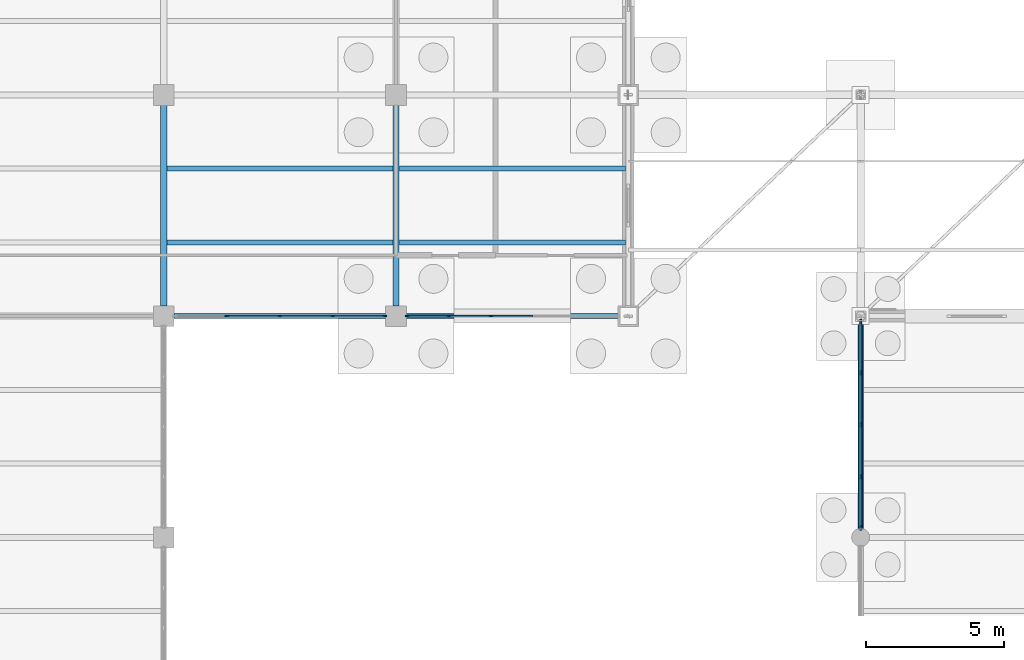
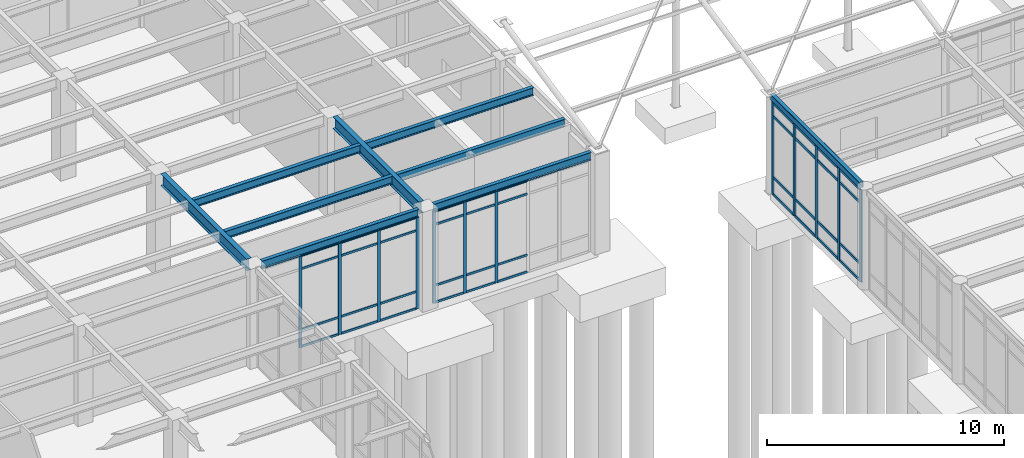
# One storey, part 40 of 138: 52 members, 9 beams, 3 elements without a shape of their own.
"""IFC4 building model written with IfcOpenShell, lengths in metres."""

from ifc_helpers import new_model, si_unit, direction, frame, origin, origin_2d, place, context, subcontext, project, spatial, rectangle, hollow_rectangle, i_section, extrude, material, layer, layer_set, material_profile, profile_set, type_object, element, aggregate, save


model = new_model("IFC4")

# Units and contexts
model_context = context("Model", 3, precision=1e-05, world=origin(), true_north=direction((0.0, 1.0)))
body_context = subcontext(model_context, "Body", "Model", "MODEL_VIEW")
ifc_project = project(units=[si_unit("LENGTHUNIT", "METRE"), si_unit("AREAUNIT", "SQUARE_METRE"), si_unit("VOLUMEUNIT", "CUBIC_METRE"), si_unit("PLANEANGLEUNIT", "RADIAN"), si_unit("MASSUNIT", "GRAM", prefix="KILO")], contexts=[model_context])

# Site, building, storey
site_placement = place(None, origin())
site = spatial("IfcSite", under=ifc_project, at=site_placement, CompositionType="ELEMENT")
building_placement = place(site_placement, origin())
building = spatial("IfcBuilding", under=site, at=building_placement, Name="Kranzveld Transit Interchange", CompositionType="ELEMENT")
storey_placement = place(building_placement, origin())
storey = spatial("IfcBuildingStorey", under=building, at=storey_placement, Name="L00", CompositionType="ELEMENT", Elevation=0.0)

# Curtain wall, members
ifc_material_1 = material(Name="Bronze-anodised thermally broken aluminium", Category="aluminium")
ifc_layer_1 = layer(ifc_material_1, 0.159912109375)
ifc_layer_set_1 = layer_set([ifc_layer_1], Name="Bronze-anodised thermally broken aluminium")
curtain_wall_type_1 = type_object("IfcCurtainWallType", Name="Bus Boarding Glazed Screen CW-3", PredefinedType="USERDEFINED", material=ifc_layer_set_1)
curtain_wall_1_placement = place(storey_placement, origin())
curtain_wall_1 = element("IfcCurtainWall", 1, at=curtain_wall_1_placement, inside=storey, type_object=curtain_wall_type_1, Name="L00 Curtain Wall 05/M-06/M", ObjectType="CURTAIN WALL", PredefinedType="USERDEFINED")
ifc_material_2 = material(Name="Bronze-anodised thermally broken aluminium", Category="aluminium")
ifc_material_profile_1 = material_profile(ifc_material_2, rectangle(XDim=0.06005859375, YDim=0.14990234375, at=origin_2d()), Name="ALU MULLION 60x150")
ifc_profile_set_1 = profile_set([ifc_material_profile_1], Name="Bronze-anodised thermally broken aluminium")
member_type_1 = type_object("IfcMemberType", Name="Curtain Wall Mullion 60x150 Alu", PredefinedType="MULLION", material=ifc_profile_set_1)
member_1_placement = place(storey_placement, frame((35.887451171875, 88.0, 0.0), z_axis=(0.0, 0.0, 1.0), x_axis=(0.0, 1.0, 0.0)))
member_1 = element("IfcMember", 2, at=member_1_placement, type_object=member_type_1, Name="CW-3 mullion 2", PredefinedType="MULLION", context=body_context, shape_type="SweptSolid", body=[
    extrude(rectangle(XDim=0.06005859375, YDim=0.14990234375, at=origin_2d()), origin(), (0.0, 0.0, 1.0), 4.740478515625),
])
member_2_placement = place(storey_placement, frame((37.800048828125, 88.0, 0.0), z_axis=(0.0, 0.0, 1.0), x_axis=(0.0, 1.0, 0.0)))
member_2 = element("IfcMember", 3, at=member_2_placement, type_object=member_type_1, Name="CW-3 mullion 3", PredefinedType="MULLION", context=body_context, shape_type="SweptSolid", body=[
    extrude(rectangle(XDim=0.06005859375, YDim=0.14990234375, at=origin_2d()), origin(), (0.0, 0.0, 1.0), 4.740478515625),
])
member_3_placement = place(storey_placement, frame((39.71240234375, 88.0, 0.0), z_axis=(0.0, 0.0, 1.0), x_axis=(0.0, 1.0, 0.0)))
member_3 = element("IfcMember", 4, at=member_3_placement, type_object=member_type_1, Name="CW-3 mullion 4", PredefinedType="MULLION", context=body_context, shape_type="SweptSolid", body=[
    extrude(rectangle(XDim=0.06005859375, YDim=0.14990234375, at=origin_2d()), origin(), (0.0, 0.0, 1.0), 4.740478515625),
])
member_4_placement = place(storey_placement, frame((41.594970703125, 88.0, 0.0), z_axis=(0.0, 0.0, 1.0), x_axis=(0.0, 1.0, 0.0)))
member_4 = element("IfcMember", 5, at=member_4_placement, type_object=member_type_1, Name="CW-3 mullion 5", PredefinedType="MULLION", context=body_context, shape_type="SweptSolid", body=[
    extrude(rectangle(XDim=0.06005859375, YDim=0.14990234375, at=origin_2d()), origin(), (0.0, 0.0, 1.0), 4.740478515625),
])

ifc_material_3 = material(Name="Bronze-anodised thermally broken aluminium", Category="aluminium")
ifc_layer_2 = layer(ifc_material_3, 0.14990234375)
ifc_layer_set_2 = layer_set([ifc_layer_2], Name="Bronze-anodised thermally broken aluminium")
curtain_wall_type_2 = type_object("IfcCurtainWallType", Name="Public Passage Clerestory Screen CW-4", PredefinedType="USERDEFINED", material=ifc_layer_set_2)
curtain_wall_2_placement = place(storey_placement, origin())
curtain_wall_2 = element("IfcCurtainWall", 6, at=curtain_wall_2_placement, inside=storey, type_object=curtain_wall_type_2, Name="L00 Curtain Wall 06/M-07/M", ObjectType="CURTAIN WALL", PredefinedType="USERDEFINED")
member_5_placement = place(storey_placement, frame((42.405029296875, 88.0, 0.0), z_axis=(0.0, 0.0, 1.0), x_axis=(0.0, 1.0, 0.0)))
member_5 = element("IfcMember", 7, at=member_5_placement, type_object=member_type_1, Name="CW-4 mullion 1", PredefinedType="MULLION", context=body_context, shape_type="SweptSolid", body=[
    extrude(rectangle(XDim=0.06005859375, YDim=0.14990234375, at=origin_2d()), origin(), (0.0, 0.0, 1.0), 4.740478515625),
])
member_6_placement = place(storey_placement, frame((43.905029296875, 88.0, 0.0), z_axis=(0.0, 0.0, 1.0), x_axis=(0.0, 1.0, 0.0)))
member_6 = element("IfcMember", 8, at=member_6_placement, type_object=member_type_1, Name="CW-4 mullion 2", PredefinedType="MULLION", context=body_context, shape_type="SweptSolid", body=[
    extrude(rectangle(XDim=0.06005859375, YDim=0.14990234375, at=origin_2d()), origin(), (0.0, 0.0, 1.0), 4.740478515625),
])
member_7_placement = place(storey_placement, frame((45.43505859375, 88.0, 0.0), z_axis=(0.0, 0.0, 1.0), x_axis=(0.0, 1.0, 0.0)))
member_7 = element("IfcMember", 9, at=member_7_placement, type_object=member_type_1, Name="CW-4 mullion 3", PredefinedType="MULLION", context=body_context, shape_type="SweptSolid", body=[
    extrude(rectangle(XDim=0.06005859375, YDim=0.14990234375, at=origin_2d()), origin(), (0.0, 0.0, 1.0), 4.740478515625),
])

ifc_material_4 = material(Name="Bronze-anodised thermally broken aluminium", Category="aluminium")
ifc_layer_3 = layer(ifc_material_4, 0.18505859375)
ifc_layer_set_3 = layer_set([ifc_layer_3], Name="Bronze-anodised thermally broken aluminium")
curtain_wall_type_3 = type_object("IfcCurtainWallType", Name="Control Crown Observation Facade CW-5", PredefinedType="USERDEFINED", material=ifc_layer_set_3)
curtain_wall_3_placement = place(storey_placement, origin())
curtain_wall_3 = element("IfcCurtainWall", 10, at=curtain_wall_3_placement, inside=storey, type_object=curtain_wall_type_3, Name="L00 Curtain Wall 08/L-08/M", ObjectType="CURTAIN WALL", PredefinedType="USERDEFINED")
ifc_material_5 = material(Name="Bronze-anodised thermally broken aluminium", Category="aluminium")
ifc_material_profile_2 = material_profile(ifc_material_5, rectangle(XDim=0.06494140625, YDim=0.179931640625, at=origin_2d()), Name="ALU MULLION 65x180")
ifc_profile_set_2 = profile_set([ifc_material_profile_2], Name="Bronze-anodised thermally broken aluminium")
member_type_2 = type_object("IfcMemberType", Name="Curtain Wall Mullion 65x180 Alu", PredefinedType="MULLION", material=ifc_profile_set_2)
member_8_placement = place(storey_placement, frame((58.800048828125, 80.357421875, 0.0), z_axis=(0.0, 0.0, 1.0), x_axis=(-1.0, 0.0, 0.0)))
member_8 = element("IfcMember", 11, at=member_8_placement, type_object=member_type_2, Name="CW-5 mullion 1", PredefinedType="MULLION", context=body_context, shape_type="SweptSolid", body=[
    extrude(rectangle(XDim=0.06494140625, YDim=0.179931640625, at=origin_2d()), origin(), (0.0, 0.0, 1.0), 4.747314453125),
])
member_9_placement = place(storey_placement, frame((58.800048828125, 82.19921875, 0.0), z_axis=(0.0, 0.0, 1.0), x_axis=(-1.0, 0.0, 0.0)))
member_9 = element("IfcMember", 12, at=member_9_placement, type_object=member_type_2, Name="CW-5 mullion 2", PredefinedType="MULLION", context=body_context, shape_type="SweptSolid", body=[
    extrude(rectangle(XDim=0.06494140625, YDim=0.179931640625, at=origin_2d()), origin(), (0.0, 0.0, 1.0), 4.747314453125),
])
member_10_placement = place(storey_placement, frame((58.800048828125, 84.073486328125, 0.0), z_axis=(0.0, 0.0, 1.0), x_axis=(-1.0, 0.0, 0.0)))
member_10 = element("IfcMember", 13, at=member_10_placement, type_object=member_type_2, Name="CW-5 mullion 3", PredefinedType="MULLION", context=body_context, shape_type="SweptSolid", body=[
    extrude(rectangle(XDim=0.06494140625, YDim=0.179931640625, at=origin_2d()), origin(), (0.0, 0.0, 1.0), 4.747314453125),
])
member_11_placement = place(storey_placement, frame((58.800048828125, 85.947998046875, 0.0), z_axis=(0.0, 0.0, 1.0), x_axis=(-1.0, 0.0, 0.0)))
member_11 = element("IfcMember", 14, at=member_11_placement, type_object=member_type_2, Name="CW-5 mullion 4", PredefinedType="MULLION", context=body_context, shape_type="SweptSolid", body=[
    extrude(rectangle(XDim=0.06494140625, YDim=0.179931640625, at=origin_2d()), origin(), (0.0, 0.0, 1.0), 4.747314453125),
])
member_12_placement = place(storey_placement, frame((58.800048828125, 87.789794921875, 0.0), z_axis=(0.0, 0.0, 1.0), x_axis=(-1.0, 0.0, 0.0)))
member_12 = element("IfcMember", 15, at=member_12_placement, type_object=member_type_2, Name="CW-5 mullion 5", PredefinedType="MULLION", context=body_context, shape_type="SweptSolid", body=[
    extrude(rectangle(XDim=0.06494140625, YDim=0.179931640625, at=origin_2d()), origin(), (0.0, 0.0, 1.0), 4.747314453125),
])

# Member
ifc_material_6 = material(Name="Bronze-anodised thermally broken aluminium", Category="aluminium")
ifc_material_profile_3 = material_profile(ifc_material_6, rectangle(XDim=0.06005859375, YDim=0.110107421875, at=origin_2d()), Name="ALU TRANSOM 60x110")
ifc_profile_set_3 = profile_set([ifc_material_profile_3], Name="Bronze-anodised thermally broken aluminium")
member_type_3 = type_object("IfcMemberType", Name="Curtain Wall Transom 60x110 Alu", PredefinedType="USERDEFINED", material=ifc_profile_set_3)
member_13_placement = place(storey_placement, frame((35.91748046875, 88.0, 0.030029296875), z_axis=(1.0, 0.0, 0.0), x_axis=(0.0, 1.0, 0.0)))
member_13 = element("IfcMember", 16, at=member_13_placement, type_object=member_type_3, Name="CW-3 transom 2.1", ObjectType="TRANSOM", PredefinedType="USERDEFINED", context=body_context, shape_type="SweptSolid", body=[
    extrude(rectangle(XDim=0.06005859375, YDim=0.110107421875, at=origin_2d()), origin(), (0.0, 0.0, 1.0), 1.8525390625),
])

member_14_placement = place(storey_placement, frame((35.91748046875, 88.0, 0.89990234375), z_axis=(1.0, 0.0, 0.0), x_axis=(0.0, 1.0, 0.0)))
member_14 = element("IfcMember", 17, at=member_14_placement, type_object=member_type_3, Name="CW-3 transom 2.2", ObjectType="TRANSOM", PredefinedType="USERDEFINED", context=body_context, shape_type="SweptSolid", body=[
    extrude(rectangle(XDim=0.06005859375, YDim=0.110107421875, at=origin_2d()), origin(), (0.0, 0.0, 1.0), 1.8525390625),
])

member_15_placement = place(storey_placement, frame((35.91748046875, 88.0, 4.04052734375), z_axis=(1.0, 0.0, 0.0), x_axis=(0.0, 1.0, 0.0)))
member_15 = element("IfcMember", 18, at=member_15_placement, type_object=member_type_3, Name="CW-3 transom 2.3", ObjectType="TRANSOM", PredefinedType="USERDEFINED", context=body_context, shape_type="SweptSolid", body=[
    extrude(rectangle(XDim=0.06005859375, YDim=0.110107421875, at=origin_2d()), origin(), (0.0, 0.0, 1.0), 1.8525390625),
])

member_16_placement = place(storey_placement, frame((35.91748046875, 88.0, 4.710693359375), z_axis=(1.0, 0.0, 0.0), x_axis=(0.0, 1.0, 0.0)))
member_16 = element("IfcMember", 19, at=member_16_placement, type_object=member_type_3, Name="CW-3 transom 2.4", ObjectType="TRANSOM", PredefinedType="USERDEFINED", context=body_context, shape_type="SweptSolid", body=[
    extrude(rectangle(XDim=0.06005859375, YDim=0.110107421875, at=origin_2d()), origin(), (0.0, 0.0, 1.0), 1.8525390625),
])

member_17_placement = place(storey_placement, frame((37.830078125, 88.0, 0.030029296875), z_axis=(1.0, 0.0, 0.0), x_axis=(0.0, 1.0, 0.0)))
member_17 = element("IfcMember", 20, at=member_17_placement, type_object=member_type_3, Name="CW-3 transom 3.1", ObjectType="TRANSOM", PredefinedType="USERDEFINED", context=body_context, shape_type="SweptSolid", body=[
    extrude(rectangle(XDim=0.06005859375, YDim=0.110107421875, at=origin_2d()), origin(), (0.0, 0.0, 1.0), 1.8525390625),
])

member_18_placement = place(storey_placement, frame((37.830078125, 88.0, 0.89990234375), z_axis=(1.0, 0.0, 0.0), x_axis=(0.0, 1.0, 0.0)))
member_18 = element("IfcMember", 21, at=member_18_placement, type_object=member_type_3, Name="CW-3 transom 3.2", ObjectType="TRANSOM", PredefinedType="USERDEFINED", context=body_context, shape_type="SweptSolid", body=[
    extrude(rectangle(XDim=0.06005859375, YDim=0.110107421875, at=origin_2d()), origin(), (0.0, 0.0, 1.0), 1.8525390625),
])

member_19_placement = place(storey_placement, frame((37.830078125, 88.0, 4.04052734375), z_axis=(1.0, 0.0, 0.0), x_axis=(0.0, 1.0, 0.0)))
member_19 = element("IfcMember", 22, at=member_19_placement, type_object=member_type_3, Name="CW-3 transom 3.3", ObjectType="TRANSOM", PredefinedType="USERDEFINED", context=body_context, shape_type="SweptSolid", body=[
    extrude(rectangle(XDim=0.06005859375, YDim=0.110107421875, at=origin_2d()), origin(), (0.0, 0.0, 1.0), 1.8525390625),
])

member_20_placement = place(storey_placement, frame((37.830078125, 88.0, 4.710693359375), z_axis=(1.0, 0.0, 0.0), x_axis=(0.0, 1.0, 0.0)))
member_20 = element("IfcMember", 23, at=member_20_placement, type_object=member_type_3, Name="CW-3 transom 3.4", ObjectType="TRANSOM", PredefinedType="USERDEFINED", context=body_context, shape_type="SweptSolid", body=[
    extrude(rectangle(XDim=0.06005859375, YDim=0.110107421875, at=origin_2d()), origin(), (0.0, 0.0, 1.0), 1.8525390625),
])

member_21_placement = place(storey_placement, frame((39.742431640625, 88.0, 0.030029296875), z_axis=(1.0, 0.0, 0.0), x_axis=(0.0, 1.0, 0.0)))
member_21 = element("IfcMember", 24, at=member_21_placement, type_object=member_type_3, Name="CW-3 transom 4.1", ObjectType="TRANSOM", PredefinedType="USERDEFINED", context=body_context, shape_type="SweptSolid", body=[
    extrude(rectangle(XDim=0.06005859375, YDim=0.110107421875, at=origin_2d()), origin(), (0.0, 0.0, 1.0), 1.822509765625),
])

member_22_placement = place(storey_placement, frame((39.742431640625, 88.0, 0.89990234375), z_axis=(1.0, 0.0, 0.0), x_axis=(0.0, 1.0, 0.0)))
member_22 = element("IfcMember", 25, at=member_22_placement, type_object=member_type_3, Name="CW-3 transom 4.2", ObjectType="TRANSOM", PredefinedType="USERDEFINED", context=body_context, shape_type="SweptSolid", body=[
    extrude(rectangle(XDim=0.06005859375, YDim=0.110107421875, at=origin_2d()), origin(), (0.0, 0.0, 1.0), 1.822509765625),
])

member_23_placement = place(storey_placement, frame((39.742431640625, 88.0, 4.04052734375), z_axis=(1.0, 0.0, 0.0), x_axis=(0.0, 1.0, 0.0)))
member_23 = element("IfcMember", 26, at=member_23_placement, type_object=member_type_3, Name="CW-3 transom 4.3", ObjectType="TRANSOM", PredefinedType="USERDEFINED", context=body_context, shape_type="SweptSolid", body=[
    extrude(rectangle(XDim=0.06005859375, YDim=0.110107421875, at=origin_2d()), origin(), (0.0, 0.0, 1.0), 1.822509765625),
])

member_24_placement = place(storey_placement, frame((39.742431640625, 88.0, 4.710693359375), z_axis=(1.0, 0.0, 0.0), x_axis=(0.0, 1.0, 0.0)))
member_24 = element("IfcMember", 27, at=member_24_placement, type_object=member_type_3, Name="CW-3 transom 4.4", ObjectType="TRANSOM", PredefinedType="USERDEFINED", context=body_context, shape_type="SweptSolid", body=[
    extrude(rectangle(XDim=0.06005859375, YDim=0.110107421875, at=origin_2d()), origin(), (0.0, 0.0, 1.0), 1.822509765625),
])

aggregate(curtain_wall_1, [member_1, member_2, member_3, member_4, member_13, member_14, member_15, member_16, member_17, member_18, member_19, member_20, member_21, member_22, member_23, member_24])

member_25_placement = place(storey_placement, frame((42.43505859375, 88.0, 0.030029296875), z_axis=(1.0, 0.0, 0.0), x_axis=(0.0, 1.0, 0.0)))
member_25 = element("IfcMember", 28, at=member_25_placement, type_object=member_type_3, Name="CW-4 transom 1.1", ObjectType="TRANSOM", PredefinedType="USERDEFINED", context=body_context, shape_type="SweptSolid", body=[
    extrude(rectangle(XDim=0.06005859375, YDim=0.110107421875, at=origin_2d()), origin(), (0.0, 0.0, 1.0), 1.43994140625),
])

member_26_placement = place(storey_placement, frame((42.43505859375, 88.0, 0.89990234375), z_axis=(1.0, 0.0, 0.0), x_axis=(0.0, 1.0, 0.0)))
member_26 = element("IfcMember", 29, at=member_26_placement, type_object=member_type_3, Name="CW-4 transom 1.2", ObjectType="TRANSOM", PredefinedType="USERDEFINED", context=body_context, shape_type="SweptSolid", body=[
    extrude(rectangle(XDim=0.06005859375, YDim=0.110107421875, at=origin_2d()), origin(), (0.0, 0.0, 1.0), 1.43994140625),
])

member_27_placement = place(storey_placement, frame((42.43505859375, 88.0, 4.04052734375), z_axis=(1.0, 0.0, 0.0), x_axis=(0.0, 1.0, 0.0)))
member_27 = element("IfcMember", 30, at=member_27_placement, type_object=member_type_3, Name="CW-4 transom 1.3", ObjectType="TRANSOM", PredefinedType="USERDEFINED", context=body_context, shape_type="SweptSolid", body=[
    extrude(rectangle(XDim=0.06005859375, YDim=0.110107421875, at=origin_2d()), origin(), (0.0, 0.0, 1.0), 1.43994140625),
])

member_28_placement = place(storey_placement, frame((42.43505859375, 88.0, 4.710693359375), z_axis=(1.0, 0.0, 0.0), x_axis=(0.0, 1.0, 0.0)))
member_28 = element("IfcMember", 31, at=member_28_placement, type_object=member_type_3, Name="CW-4 transom 1.4", ObjectType="TRANSOM", PredefinedType="USERDEFINED", context=body_context, shape_type="SweptSolid", body=[
    extrude(rectangle(XDim=0.06005859375, YDim=0.110107421875, at=origin_2d()), origin(), (0.0, 0.0, 1.0), 1.43994140625),
])

member_29_placement = place(storey_placement, frame((43.93505859375, 88.0, 0.030029296875), z_axis=(1.0, 0.0, 0.0), x_axis=(0.0, 1.0, 0.0)))
member_29 = element("IfcMember", 32, at=member_29_placement, type_object=member_type_3, Name="CW-4 transom 2.1", ObjectType="TRANSOM", PredefinedType="USERDEFINED", context=body_context, shape_type="SweptSolid", body=[
    extrude(rectangle(XDim=0.06005859375, YDim=0.110107421875, at=origin_2d()), origin(), (0.0, 0.0, 1.0), 1.469970703125),
])

member_30_placement = place(storey_placement, frame((43.93505859375, 88.0, 0.89990234375), z_axis=(1.0, 0.0, 0.0), x_axis=(0.0, 1.0, 0.0)))
member_30 = element("IfcMember", 33, at=member_30_placement, type_object=member_type_3, Name="CW-4 transom 2.2", ObjectType="TRANSOM", PredefinedType="USERDEFINED", context=body_context, shape_type="SweptSolid", body=[
    extrude(rectangle(XDim=0.06005859375, YDim=0.110107421875, at=origin_2d()), origin(), (0.0, 0.0, 1.0), 1.469970703125),
])

member_31_placement = place(storey_placement, frame((43.93505859375, 88.0, 4.04052734375), z_axis=(1.0, 0.0, 0.0), x_axis=(0.0, 1.0, 0.0)))
member_31 = element("IfcMember", 34, at=member_31_placement, type_object=member_type_3, Name="CW-4 transom 2.3", ObjectType="TRANSOM", PredefinedType="USERDEFINED", context=body_context, shape_type="SweptSolid", body=[
    extrude(rectangle(XDim=0.06005859375, YDim=0.110107421875, at=origin_2d()), origin(), (0.0, 0.0, 1.0), 1.469970703125),
])

member_32_placement = place(storey_placement, frame((43.93505859375, 88.0, 4.710693359375), z_axis=(1.0, 0.0, 0.0), x_axis=(0.0, 1.0, 0.0)))
member_32 = element("IfcMember", 35, at=member_32_placement, type_object=member_type_3, Name="CW-4 transom 2.4", ObjectType="TRANSOM", PredefinedType="USERDEFINED", context=body_context, shape_type="SweptSolid", body=[
    extrude(rectangle(XDim=0.06005859375, YDim=0.110107421875, at=origin_2d()), origin(), (0.0, 0.0, 1.0), 1.469970703125),
])

member_33_placement = place(storey_placement, frame((45.465087890625, 88.0, 0.030029296875), z_axis=(1.0, 0.0, 0.0), x_axis=(0.0, 1.0, 0.0)))
member_33 = element("IfcMember", 36, at=member_33_placement, type_object=member_type_3, Name="CW-4 transom 3.1", ObjectType="TRANSOM", PredefinedType="USERDEFINED", context=body_context, shape_type="SweptSolid", body=[
    extrude(rectangle(XDim=0.06005859375, YDim=0.110107421875, at=origin_2d()), origin(), (0.0, 0.0, 1.0), 1.469970703125),
])

member_34_placement = place(storey_placement, frame((45.465087890625, 88.0, 0.89990234375), z_axis=(1.0, 0.0, 0.0), x_axis=(0.0, 1.0, 0.0)))
member_34 = element("IfcMember", 37, at=member_34_placement, type_object=member_type_3, Name="CW-4 transom 3.2", ObjectType="TRANSOM", PredefinedType="USERDEFINED", context=body_context, shape_type="SweptSolid", body=[
    extrude(rectangle(XDim=0.06005859375, YDim=0.110107421875, at=origin_2d()), origin(), (0.0, 0.0, 1.0), 1.469970703125),
])

member_35_placement = place(storey_placement, frame((45.465087890625, 88.0, 4.04052734375), z_axis=(1.0, 0.0, 0.0), x_axis=(0.0, 1.0, 0.0)))
member_35 = element("IfcMember", 38, at=member_35_placement, type_object=member_type_3, Name="CW-4 transom 3.3", ObjectType="TRANSOM", PredefinedType="USERDEFINED", context=body_context, shape_type="SweptSolid", body=[
    extrude(rectangle(XDim=0.06005859375, YDim=0.110107421875, at=origin_2d()), origin(), (0.0, 0.0, 1.0), 1.469970703125),
])

member_36_placement = place(storey_placement, frame((45.465087890625, 88.0, 4.710693359375), z_axis=(1.0, 0.0, 0.0), x_axis=(0.0, 1.0, 0.0)))
member_36 = element("IfcMember", 39, at=member_36_placement, type_object=member_type_3, Name="CW-4 transom 3.4", ObjectType="TRANSOM", PredefinedType="USERDEFINED", context=body_context, shape_type="SweptSolid", body=[
    extrude(rectangle(XDim=0.06005859375, YDim=0.110107421875, at=origin_2d()), origin(), (0.0, 0.0, 1.0), 1.469970703125),
])

aggregate(curtain_wall_2, [member_5, member_6, member_7, member_25, member_26, member_27, member_28, member_29, member_30, member_31, member_32, member_33, member_34, member_35, member_36])

ifc_material_7 = material(Name="Bronze-anodised thermally broken aluminium", Category="aluminium")
ifc_material_profile_4 = material_profile(ifc_material_7, rectangle(XDim=0.06494140625, YDim=0.139892578125, at=origin_2d()), Name="ALU TRANSOM 65x140")
ifc_profile_set_4 = profile_set([ifc_material_profile_4], Name="Bronze-anodised thermally broken aluminium")
member_type_4 = type_object("IfcMemberType", Name="Curtain Wall Transom 65x140 Alu", PredefinedType="USERDEFINED", material=ifc_profile_set_4)
member_37_placement = place(storey_placement, frame((58.800048828125, 80.389892578125, 0.032470703125), z_axis=(0.0, 1.0, 0.0), x_axis=(-1.0, 0.0, 0.0)))
member_37 = element("IfcMember", 40, at=member_37_placement, type_object=member_type_4, Name="CW-5 transom 1.1", ObjectType="TRANSOM", PredefinedType="USERDEFINED", context=body_context, shape_type="SweptSolid", body=[
    extrude(rectangle(XDim=0.06494140625, YDim=0.139892578125, at=origin_2d()), origin(), (0.0, 0.0, 1.0), 1.77685546875),
])

member_38_placement = place(storey_placement, frame((58.800048828125, 80.389892578125, 0.89990234375), z_axis=(0.0, 1.0, 0.0), x_axis=(-1.0, 0.0, 0.0)))
member_38 = element("IfcMember", 41, at=member_38_placement, type_object=member_type_4, Name="CW-5 transom 1.2", ObjectType="TRANSOM", PredefinedType="USERDEFINED", context=body_context, shape_type="SweptSolid", body=[
    extrude(rectangle(XDim=0.06494140625, YDim=0.139892578125, at=origin_2d()), origin(), (0.0, 0.0, 1.0), 1.77685546875),
])

member_39_placement = place(storey_placement, frame((58.800048828125, 80.389892578125, 4.04736328125), z_axis=(0.0, 1.0, 0.0), x_axis=(-1.0, 0.0, 0.0)))
member_39 = element("IfcMember", 42, at=member_39_placement, type_object=member_type_4, Name="CW-5 transom 1.3", ObjectType="TRANSOM", PredefinedType="USERDEFINED", context=body_context, shape_type="SweptSolid", body=[
    extrude(rectangle(XDim=0.06494140625, YDim=0.139892578125, at=origin_2d()), origin(), (0.0, 0.0, 1.0), 1.77685546875),
])

member_40_placement = place(storey_placement, frame((58.800048828125, 80.389892578125, 4.71484375), z_axis=(0.0, 1.0, 0.0), x_axis=(-1.0, 0.0, 0.0)))
member_40 = element("IfcMember", 43, at=member_40_placement, type_object=member_type_4, Name="CW-5 transom 1.4", ObjectType="TRANSOM", PredefinedType="USERDEFINED", context=body_context, shape_type="SweptSolid", body=[
    extrude(rectangle(XDim=0.06494140625, YDim=0.139892578125, at=origin_2d()), origin(), (0.0, 0.0, 1.0), 1.77685546875),
])

member_41_placement = place(storey_placement, frame((58.800048828125, 82.231689453125, 0.032470703125), z_axis=(0.0, 1.0, 0.0), x_axis=(-1.0, 0.0, 0.0)))
member_41 = element("IfcMember", 44, at=member_41_placement, type_object=member_type_4, Name="CW-5 transom 2.1", ObjectType="TRANSOM", PredefinedType="USERDEFINED", context=body_context, shape_type="SweptSolid", body=[
    extrude(rectangle(XDim=0.06494140625, YDim=0.139892578125, at=origin_2d()), origin(), (0.0, 0.0, 1.0), 1.809326171875),
])

member_42_placement = place(storey_placement, frame((58.800048828125, 82.231689453125, 0.89990234375), z_axis=(0.0, 1.0, 0.0), x_axis=(-1.0, 0.0, 0.0)))
member_42 = element("IfcMember", 45, at=member_42_placement, type_object=member_type_4, Name="CW-5 transom 2.2", ObjectType="TRANSOM", PredefinedType="USERDEFINED", context=body_context, shape_type="SweptSolid", body=[
    extrude(rectangle(XDim=0.06494140625, YDim=0.139892578125, at=origin_2d()), origin(), (0.0, 0.0, 1.0), 1.809326171875),
])

member_43_placement = place(storey_placement, frame((58.800048828125, 82.231689453125, 4.04736328125), z_axis=(0.0, 1.0, 0.0), x_axis=(-1.0, 0.0, 0.0)))
member_43 = element("IfcMember", 46, at=member_43_placement, type_object=member_type_4, Name="CW-5 transom 2.3", ObjectType="TRANSOM", PredefinedType="USERDEFINED", context=body_context, shape_type="SweptSolid", body=[
    extrude(rectangle(XDim=0.06494140625, YDim=0.139892578125, at=origin_2d()), origin(), (0.0, 0.0, 1.0), 1.809326171875),
])

member_44_placement = place(storey_placement, frame((58.800048828125, 82.231689453125, 4.71484375), z_axis=(0.0, 1.0, 0.0), x_axis=(-1.0, 0.0, 0.0)))
member_44 = element("IfcMember", 47, at=member_44_placement, type_object=member_type_4, Name="CW-5 transom 2.4", ObjectType="TRANSOM", PredefinedType="USERDEFINED", context=body_context, shape_type="SweptSolid", body=[
    extrude(rectangle(XDim=0.06494140625, YDim=0.139892578125, at=origin_2d()), origin(), (0.0, 0.0, 1.0), 1.809326171875),
])

member_45_placement = place(storey_placement, frame((58.800048828125, 84.106201171875, 0.032470703125), z_axis=(0.0, 1.0, 0.0), x_axis=(-1.0, 0.0, 0.0)))
member_45 = element("IfcMember", 48, at=member_45_placement, type_object=member_type_4, Name="CW-5 transom 3.1", ObjectType="TRANSOM", PredefinedType="USERDEFINED", context=body_context, shape_type="SweptSolid", body=[
    extrude(rectangle(XDim=0.06494140625, YDim=0.139892578125, at=origin_2d()), origin(), (0.0, 0.0, 1.0), 1.80908203125),
])

member_46_placement = place(storey_placement, frame((58.800048828125, 84.106201171875, 0.89990234375), z_axis=(0.0, 1.0, 0.0), x_axis=(-1.0, 0.0, 0.0)))
member_46 = element("IfcMember", 49, at=member_46_placement, type_object=member_type_4, Name="CW-5 transom 3.2", ObjectType="TRANSOM", PredefinedType="USERDEFINED", context=body_context, shape_type="SweptSolid", body=[
    extrude(rectangle(XDim=0.06494140625, YDim=0.139892578125, at=origin_2d()), origin(), (0.0, 0.0, 1.0), 1.80908203125),
])

member_47_placement = place(storey_placement, frame((58.800048828125, 84.106201171875, 4.04736328125), z_axis=(0.0, 1.0, 0.0), x_axis=(-1.0, 0.0, 0.0)))
member_47 = element("IfcMember", 50, at=member_47_placement, type_object=member_type_4, Name="CW-5 transom 3.3", ObjectType="TRANSOM", PredefinedType="USERDEFINED", context=body_context, shape_type="SweptSolid", body=[
    extrude(rectangle(XDim=0.06494140625, YDim=0.139892578125, at=origin_2d()), origin(), (0.0, 0.0, 1.0), 1.80908203125),
])

member_48_placement = place(storey_placement, frame((58.800048828125, 84.106201171875, 4.71484375), z_axis=(0.0, 1.0, 0.0), x_axis=(-1.0, 0.0, 0.0)))
member_48 = element("IfcMember", 51, at=member_48_placement, type_object=member_type_4, Name="CW-5 transom 3.4", ObjectType="TRANSOM", PredefinedType="USERDEFINED", context=body_context, shape_type="SweptSolid", body=[
    extrude(rectangle(XDim=0.06494140625, YDim=0.139892578125, at=origin_2d()), origin(), (0.0, 0.0, 1.0), 1.80908203125),
])

member_49_placement = place(storey_placement, frame((58.800048828125, 85.98046875, 0.032470703125), z_axis=(0.0, 1.0, 0.0), x_axis=(-1.0, 0.0, 0.0)))
member_49 = element("IfcMember", 52, at=member_49_placement, type_object=member_type_4, Name="CW-5 transom 4.1", ObjectType="TRANSOM", PredefinedType="USERDEFINED", context=body_context, shape_type="SweptSolid", body=[
    extrude(rectangle(XDim=0.06494140625, YDim=0.139892578125, at=origin_2d()), origin(), (0.0, 0.0, 1.0), 1.776611328125),
])

member_50_placement = place(storey_placement, frame((58.800048828125, 85.98046875, 0.89990234375), z_axis=(0.0, 1.0, 0.0), x_axis=(-1.0, 0.0, 0.0)))
member_50 = element("IfcMember", 53, at=member_50_placement, type_object=member_type_4, Name="CW-5 transom 4.2", ObjectType="TRANSOM", PredefinedType="USERDEFINED", context=body_context, shape_type="SweptSolid", body=[
    extrude(rectangle(XDim=0.06494140625, YDim=0.139892578125, at=origin_2d()), origin(), (0.0, 0.0, 1.0), 1.776611328125),
])

member_51_placement = place(storey_placement, frame((58.800048828125, 85.98046875, 4.04736328125), z_axis=(0.0, 1.0, 0.0), x_axis=(-1.0, 0.0, 0.0)))
member_51 = element("IfcMember", 54, at=member_51_placement, type_object=member_type_4, Name="CW-5 transom 4.3", ObjectType="TRANSOM", PredefinedType="USERDEFINED", context=body_context, shape_type="SweptSolid", body=[
    extrude(rectangle(XDim=0.06494140625, YDim=0.139892578125, at=origin_2d()), origin(), (0.0, 0.0, 1.0), 1.776611328125),
])

member_52_placement = place(storey_placement, frame((58.800048828125, 85.98046875, 4.71484375), z_axis=(0.0, 1.0, 0.0), x_axis=(-1.0, 0.0, 0.0)))
member_52 = element("IfcMember", 55, at=member_52_placement, type_object=member_type_4, Name="CW-5 transom 4.4", ObjectType="TRANSOM", PredefinedType="USERDEFINED", context=body_context, shape_type="SweptSolid", body=[
    extrude(rectangle(XDim=0.06494140625, YDim=0.139892578125, at=origin_2d()), origin(), (0.0, 0.0, 1.0), 1.776611328125),
])

aggregate(curtain_wall_3, [member_8, member_9, member_10, member_11, member_12, member_37, member_38, member_39, member_40, member_41, member_42, member_43, member_44, member_45, member_46, member_47, member_48, member_49, member_50, member_51, member_52])

# Beams
ifc_material_8 = material(Name="Steel S355JR", Category="steel")
ifc_material_profile_5 = material_profile(ifc_material_8, hollow_rectangle(XDim=0.199951171875, YDim=0.300048828125, WallThickness=0.010009765625, InnerFilletRadius=0.014892578125, OuterFilletRadius=0.02490234375, at=origin_2d()), Name="RHS 300x200x10")
ifc_profile_set_5 = profile_set([ifc_material_profile_5], Name="Steel S355JR")
beam_type_1 = type_object("IfcBeamType", Name="Edge Spandrel RHS 300x200x10 S355JR", PredefinedType="SPANDREL", material=ifc_profile_set_5)
beam_placement = place(storey_placement, frame((58.800048828125, 80.31494140625, 5.0), z_axis=(0.0, 1.0, 0.0), x_axis=(-1.0, 0.0, 0.0)))
element("IfcBeam", 56, at=beam_placement, inside=storey, type_object=beam_type_1, Name="L00 Girder 08/L-M", PredefinedType="SPANDREL", context=body_context, shape_type="SweptSolid", body=[
    extrude(hollow_rectangle(XDim=0.199951171875, YDim=0.300048828125, WallThickness=0.010009765625, InnerFilletRadius=0.014892578125, OuterFilletRadius=0.02490234375, at=origin_2d()), origin(), (0.0, 0.0, 1.0), 7.517333984375),
])
ifc_material_9 = material(Name="Steel S355JR", Category="steel")
ifc_material_profile_6 = material_profile(ifc_material_9, i_section(OverallWidth=0.1787109375, OverallDepth=0.409423828125, WebThickness=0.0087890625, FlangeThickness=0.014404296875, FilletRadius=0.01025390625, at=origin_2d()), Name="UB 406x178x67")
ifc_profile_set_6 = profile_set([ifc_material_profile_6], Name="Steel S355JR")
beam_type_2 = type_object("IfcBeamType", Name="Facade Spandrel UB 406x178x67 S355JR", PredefinedType="SPANDREL", material=ifc_profile_set_6)
for number, where, z_axis, x_axis, name in (
    (57, (33.965087890625, 88.0, 4.9453125), (1.0, 0.0, 0.0), (0.0, 1.0, 0.0), "L00 Girder 05-06/M"),
    (58, (42.364990234375, 88.0, 4.9453125), (1.0, 0.0, 0.0), (0.0, 1.0, 0.0), "L00 Girder 06-07/M"),
):
    element("IfcBeam", number, at=place(storey_placement, frame(where, z_axis=z_axis, x_axis=x_axis)), inside=storey, type_object=beam_type_2, Name=name, PredefinedType="SPANDREL", context=body_context, shape_type="SweptSolid", body=[
        extrude(i_section(OverallWidth=0.1787109375, OverallDepth=0.409423828125, WebThickness=0.0087890625, FlangeThickness=0.014404296875, FilletRadius=0.01025390625, at=origin_2d()), origin(), (0.0, 0.0, 1.0), 7.669921875),
    ])
ifc_material_10 = material(Name="Steel S355JR", Category="steel")
ifc_material_profile_7 = material_profile(ifc_material_10, i_section(OverallWidth=0.177734375, OverallDepth=0.402587890625, WebThickness=0.0078125, FlangeThickness=0.010986328125, FilletRadius=0.01025390625, at=origin_2d()), Name="UB 406x178x54")
ifc_profile_set_7 = profile_set([ifc_material_profile_7], Name="Steel S355JR")
beam_type_3 = type_object("IfcBeamType", Name="Floor Joist UB 406x178x54 S355JR", PredefinedType="JOIST", material=ifc_profile_set_7)
for number, where, z_axis, x_axis, name in (
    (59, (33.716064453125, 90.666748046875, 4.94873046875), (1.0, 0.0, 0.0), (0.0, 1.0, 0.0), "L00 Secondary Joist 05-06/M.1"),
    (60, (33.716064453125, 93.333251953125, 4.94873046875), (1.0, 0.0, 0.0), (0.0, 1.0, 0.0), "L00 Secondary Joist 05-06/M.2"),
):
    element("IfcBeam", number, at=place(storey_placement, frame(where, z_axis=z_axis, x_axis=x_axis)), inside=storey, type_object=beam_type_3, Name=name, PredefinedType="JOIST", context=body_context, shape_type="SweptSolid", body=[
        extrude(i_section(OverallWidth=0.177734375, OverallDepth=0.402587890625, WebThickness=0.0078125, FlangeThickness=0.010986328125, FilletRadius=0.01025390625, at=origin_2d()), origin(), (0.0, 0.0, 1.0), 8.167724609375),
    ])
for number, where, z_axis, x_axis, name in (
    (61, (42.1162109375, 90.666748046875, 4.94873046875), (1.0, 0.0, 0.0), (0.0, 1.0, 0.0), "L00 Secondary Joist 06-07/M.1"),
    (62, (42.1162109375, 93.333251953125, 4.94873046875), (1.0, 0.0, 0.0), (0.0, 1.0, 0.0), "L00 Secondary Joist 06-07/M.2"),
):
    element("IfcBeam", number, at=place(storey_placement, frame(where, z_axis=z_axis, x_axis=x_axis)), inside=storey, type_object=beam_type_3, Name=name, PredefinedType="JOIST", context=body_context, shape_type="SweptSolid", body=[
        extrude(i_section(OverallWidth=0.177734375, OverallDepth=0.402587890625, WebThickness=0.0078125, FlangeThickness=0.010986328125, FilletRadius=0.01025390625, at=origin_2d()), origin(), (0.0, 0.0, 1.0), 8.181884765625),
    ])
ifc_material_11 = material(Name="Steel S355JR", Category="steel")
ifc_material_profile_8 = material_profile(ifc_material_11, i_section(OverallWidth=0.228271484375, OverallDepth=0.607666015625, WebThickness=0.010986328125, FlangeThickness=0.017333984375, FilletRadius=0.0126953125, at=origin_2d()), Name="UB 610x229x113")
ifc_profile_set_8 = profile_set([ifc_material_profile_8], Name="Steel S355JR")
beam_type_4 = type_object("IfcBeamType", Name="Girder Steel UB 610x229x113 S355JR", PredefinedType="BEAM", material=ifc_profile_set_8)
for number, where, z_axis, x_axis, name in (
    (63, (33.60009765625, 88.364990234375, 4.84619140625), (0.0, 1.0, 0.0), (-1.0, 0.0, 0.0), "L00 Girder 05/M-N"),
    (64, (42.0, 88.364990234375, 4.84619140625), (0.0, 1.0, 0.0), (-1.0, 0.0, 0.0), "L00 Girder 06/M-N"),
):
    element("IfcBeam", number, at=place(storey_placement, frame(where, z_axis=z_axis, x_axis=x_axis)), inside=storey, type_object=beam_type_4, Name=name, PredefinedType="BEAM", context=body_context, shape_type="SweptSolid", body=[
        extrude(i_section(OverallWidth=0.228271484375, OverallDepth=0.607666015625, WebThickness=0.010986328125, FlangeThickness=0.017333984375, FilletRadius=0.0126953125, at=origin_2d()), origin(), (0.0, 0.0, 1.0), 7.27001953125),
    ])

save(model, "model.ifc")
